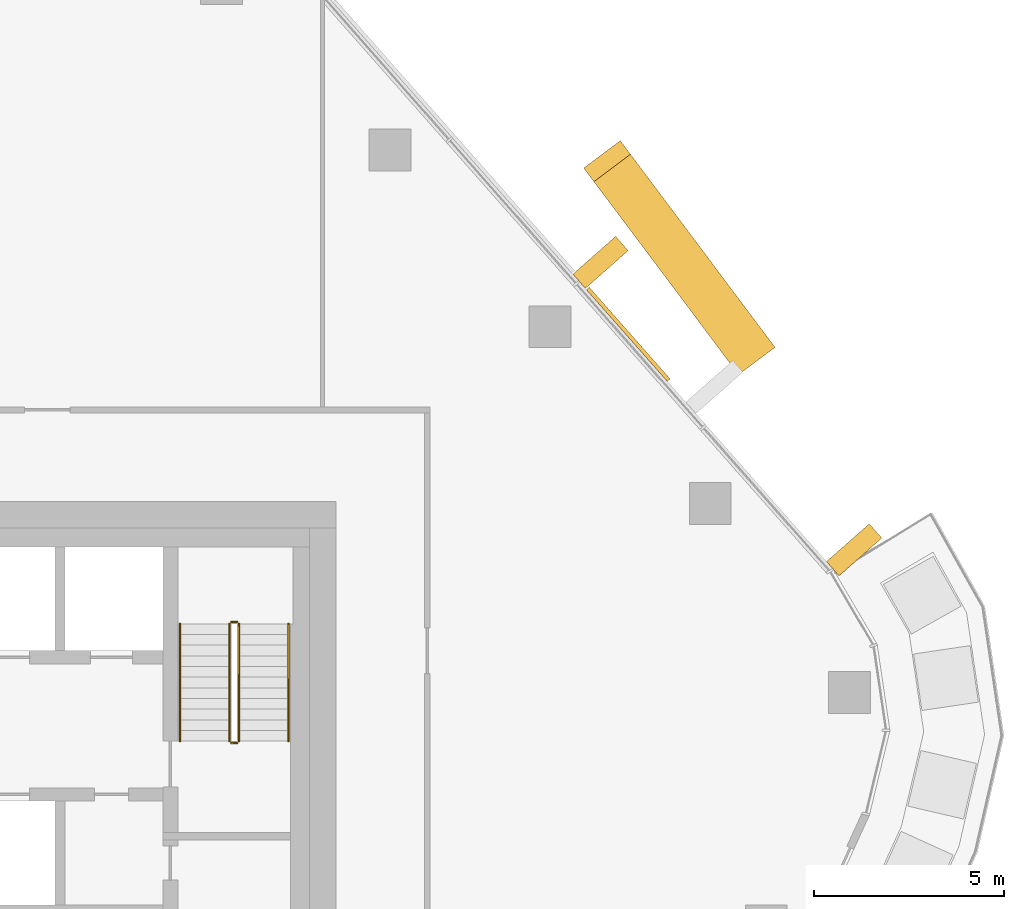
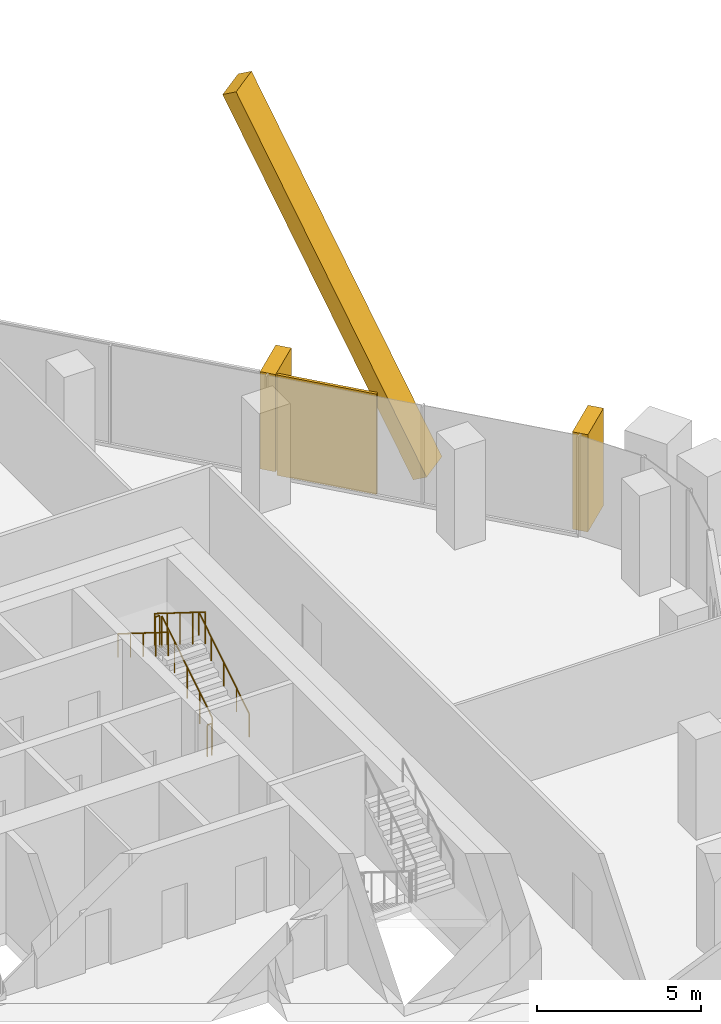
# One storey, part 19 of 20: 6 railings, 4 coverings, 1 element without a shape of its own.
"""IFC4 building model written with IfcOpenShell, lengths in metres."""

from ifc_helpers import new_model, si_unit, direction, frame, origin, origin_2d, place, context, subcontext, project, spatial, rectangle, circle, extrude, material, layer, layer_set, material_profile, profile_set, type_object, element, aggregate, save


model = new_model("IFC4")

# Units and contexts
model_context = context("Model", 3, precision=1e-05, world=origin(), true_north=direction((0.0, 1.0)))
body_context = subcontext(model_context, "Body", "Model", "MODEL_VIEW")
ifc_project = project(units=[si_unit("LENGTHUNIT", "METRE"), si_unit("AREAUNIT", "SQUARE_METRE"), si_unit("VOLUMEUNIT", "CUBIC_METRE"), si_unit("PLANEANGLEUNIT", "RADIAN"), si_unit("MASSUNIT", "GRAM", prefix="KILO")], contexts=[model_context])

# Site, building, storey
site_placement = place(None, origin())
site = spatial("IfcSite", under=ifc_project, at=site_placement, CompositionType="ELEMENT")
building_placement = place(site_placement, origin())
building = spatial("IfcBuilding", under=site, at=building_placement, Name="Dongbaek Canopy Tower", CompositionType="ELEMENT")
storey_placement = place(building_placement, frame((0.0, 0.0, 228.60009765625)))
storey = spatial("IfcBuildingStorey", under=building, at=storey_placement, Name="L47", CompositionType="ELEMENT", Elevation=228.60009765625)

# Curtain wall, coverings
ifc_material_1 = material(Name="Aluminium 6063-T6 pale anodised", Category="aluminium")
ifc_layer_1 = layer(ifc_material_1, 0.199951171875)
ifc_layer_set_1 = layer_set([ifc_layer_1], Name="CW-1 unitised tower curtain wall")
curtain_wall_type = type_object("IfcCurtainWallType", Name="CW-1 unitised tower curtain wall", PredefinedType="NOTDEFINED", material=ifc_layer_set_1)
curtain_wall_placement = place(storey_placement, origin())
curtain_wall = element("IfcCurtainWall", 1, at=curtain_wall_placement, inside=storey, type_object=curtain_wall_type, Name="CW-1 curtain wall F0.1", PredefinedType="NOTDEFINED")
ifc_material_2 = material(Name="Aluminium 6063-T6 pale metal fin", Category="aluminium")
ifc_material_profile_1 = material_profile(ifc_material_2, rectangle(XDim=1.199951171875, YDim=0.5, at=origin_2d()), Name="Crease fin CF1 500 x 1200 pale metal")
ifc_profile_set_1 = profile_set([ifc_material_profile_1], Name="Aluminium 6063-T6 pale metal fin")
covering_type_1 = type_object("IfcCoveringType", Name="Crease fin CF1 500 x 1200 pale metal", PredefinedType="CLADDING", material=ifc_profile_set_1)
covering_1_placement = place(storey_placement, frame((24.9189453125, 14.864501953125, -0.22509765625), z_axis=(-0.268752771788, 0.35867673412, 0.893936769608), x_axis=(-0.800272776955, -0.599636125049, 0.0)))
covering_1 = element("IfcCovering", 2, at=covering_1_placement, type_object=covering_type_1, Name="Crease fin L47 L50 F0", PredefinedType="CLADDING", context=body_context, shape_type="SweptSolid", body=[
    extrude(rectangle(XDim=1.199951171875, YDim=0.5, at=origin_2d()), origin(), (0.0, 0.0, 1.0), 14.134033203125),
])
ifc_material_3 = material(Name="Perforated aluminium 6063-T6 pale metal screen", Category="aluminium")
ifc_layer_2 = layer(ifc_material_3, 0.10009765625)
ifc_layer_set_2 = layer_set([ifc_layer_2], Name="Facet screen FS1 100 pale metal")
covering_type_2 = type_object("IfcCoveringType", Name="Facet screen FS1 100 pale metal", PredefinedType="CLADDING", material=ifc_layer_set_2)
covering_2_placement = place(storey_placement, frame((21.676025390625, 15.3857421875, 0.0), z_axis=(0.0, 0.0, 1.0), x_axis=(-0.6616312479, 0.749829375126, 0.0)))
covering_2 = element("IfcCovering", 3, at=covering_2_placement, type_object=covering_type_2, Name="Facet screen L47 F0", PredefinedType="CLADDING", context=body_context, shape_type="SweptSolid", body=[
    extrude(rectangle(XDim=3.216796875, YDim=0.10009765625, at=origin_2d()), origin(), (0.0, 0.0, 1.0), 3.75),
])
ifc_material_4 = material(Name="Aluminium 6063-T6 pale metal fin", Category="aluminium")
ifc_material_profile_2 = material_profile(ifc_material_4, rectangle(XDim=1.5, YDim=0.5, at=origin_2d()), Name="Fin FN1 500 x 1500 pale metal")
ifc_profile_set_2 = profile_set([ifc_material_profile_2], Name="Aluminium 6063-T6 pale metal fin")
covering_type_3 = type_object("IfcCoveringType", Name="Fin FN1 500 x 1500 pale metal", PredefinedType="CLADDING", material=ifc_profile_set_2)
covering_3_placement = place(storey_placement, frame((27.6103515625, 9.724609375, 0.119873046875), z_axis=(0.0, 0.0, 1.0), x_axis=(0.749829254199, 0.661631384947, 0.0)))
covering_3 = element("IfcCovering", 4, at=covering_3_placement, type_object=covering_type_3, Name="Fin F0.1.1", PredefinedType="CLADDING", context=body_context, shape_type="SweptSolid", body=[
    extrude(rectangle(XDim=1.5, YDim=0.5, at=origin_2d()), origin(), (0.0, 0.0, 1.0), 3.630126953125),
])
covering_4_placement = place(storey_placement, frame((20.947998046875, 17.275146484375, 0.119873046875), z_axis=(0.0, 0.0, 1.0), x_axis=(0.749829254199, 0.661631384947, 0.0)))
covering_4 = element("IfcCovering", 5, at=covering_4_placement, type_object=covering_type_3, Name="Fin F0.1.3", PredefinedType="CLADDING", context=body_context, shape_type="SweptSolid", body=[
    extrude(rectangle(XDim=1.5, YDim=0.5, at=origin_2d()), origin(), (0.0, 0.0, 1.0), 3.630126953125),
])
aggregate(curtain_wall, [covering_3, covering_4, covering_1, covering_2])

# Railings
ifc_material_5 = material(Name="Stainless steel tube and balusters", Category="steel")
railing_type_1 = type_object("IfcRailingType", Name="Stair guard 1200", PredefinedType="GUARDRAIL", material=ifc_material_5)
railing_1_placement = place(storey_placement, frame((11.449951171875, 4.699951171875, 0.1748046875)))
element("IfcRailing", 6, at=railing_1_placement, inside=storey, type_object=railing_type_1, Name="L47 ST-A stair guard 1", PredefinedType="GUARDRAIL", context=body_context, shape_type="SweptSolid", body=[
    extrude(circle(Radius=0.02392578125, at=origin_2d()), frame((0.0, 0.0, 1.17578125), z_axis=(0.0, 0.847998304005, 0.529998940003), x_axis=(-1.0, 0.0, 0.0)), (0.0, 0.0, 1.0), 3.632080078125),
    extrude(circle(Radius=0.02099609375, at=origin_2d()), origin(), (0.0, 0.0, 1.0), 1.15185546875),
    extrude(circle(Radius=0.02099609375, at=origin_2d()), frame((0.0, 0.77001953125, 0.481201171875)), (0.0, 0.0, 1.0), 1.15185546875),
    extrude(circle(Radius=0.02099609375, at=origin_2d()), frame((0.0, 1.5400390625, 0.96240234375)), (0.0, 0.0, 1.0), 1.15185546875),
    extrude(circle(Radius=0.02099609375, at=origin_2d()), frame((0.0, 2.31005859375, 1.44384765625)), (0.0, 0.0, 1.0), 1.15185546875),
    extrude(circle(Radius=0.02099609375, at=origin_2d()), frame((0.0, 3.080078125, 1.925048828125)), (0.0, 0.0, 1.0), 1.15185546875),
])
railing_2_placement = place(storey_placement, frame((11.39990234375, 7.830078125, 2.099853515625)))
element("IfcRailing", 7, at=railing_2_placement, inside=storey, type_object=railing_type_1, Name="L47 ST-A stair guard 2", PredefinedType="GUARDRAIL", context=body_context, shape_type="SweptSolid", body=[
    extrude(circle(Radius=0.02392578125, at=origin_2d()), frame((0.0, 0.0, 1.17578125), z_axis=(-1.0, 0.0, 0.0), x_axis=(0.0, -1.0, 0.0)), (0.0, 0.0, 1.0), 0.14990234375),
    extrude(circle(Radius=0.02099609375, at=origin_2d()), origin(), (0.0, 0.0, 1.0), 1.15185546875),
    extrude(circle(Radius=0.02099609375, at=origin_2d()), frame((-0.14990234375, 0.0, 0.0)), (0.0, 0.0, 1.0), 1.15185546875),
])
railing_3_placement = place(storey_placement, frame((11.199951171875, 7.780029296875, 2.27490234375)))
element("IfcRailing", 8, at=railing_3_placement, inside=storey, type_object=railing_type_1, Name="L47 ST-A stair guard 3", PredefinedType="GUARDRAIL", context=body_context, shape_type="SweptSolid", body=[
    extrude(circle(Radius=0.02392578125, at=origin_2d()), frame((0.0, 0.0, 1.17578125), z_axis=(0.0, -0.847998304005, 0.529998940003), x_axis=(1.0, 0.0, 0.0)), (0.0, 0.0, 1.0), 3.632080078125),
    extrude(circle(Radius=0.02099609375, at=origin_2d()), origin(), (0.0, 0.0, 1.0), 1.15185546875),
    extrude(circle(Radius=0.02099609375, at=origin_2d()), frame((0.0, -0.77001953125, 0.481201171875)), (0.0, 0.0, 1.0), 1.15185546875),
    extrude(circle(Radius=0.02099609375, at=origin_2d()), frame((0.0, -1.5400390625, 0.96240234375)), (0.0, 0.0, 1.0), 1.15185546875),
    extrude(circle(Radius=0.02099609375, at=origin_2d()), frame((0.0, -2.31005859375, 1.44384765625)), (0.0, 0.0, 1.0), 1.15185546875),
    extrude(circle(Radius=0.02099609375, at=origin_2d()), frame((0.0, -3.080078125, 1.925048828125)), (0.0, 0.0, 1.0), 1.15185546875),
])
railing_4_placement = place(storey_placement, frame((11.39990234375, 4.64990234375, 0.0)))
element("IfcRailing", 9, at=railing_4_placement, inside=storey, type_object=railing_type_1, Name="L47 ST-A stair guard 4", PredefinedType="GUARDRAIL", context=body_context, shape_type="SweptSolid", body=[
    extrude(circle(Radius=0.02392578125, at=origin_2d()), frame((0.0, 0.0, 1.17578125), z_axis=(-1.0, 0.0, 0.0), x_axis=(0.0, -1.0, 0.0)), (0.0, 0.0, 1.0), 0.14990234375),
    extrude(circle(Radius=0.02099609375, at=origin_2d()), origin(), (0.0, 0.0, 1.0), 1.15185546875),
    extrude(circle(Radius=0.02099609375, at=origin_2d()), frame((-0.14990234375, 0.0, 0.0)), (0.0, 0.0, 1.0), 1.15185546875),
])
ifc_material_6 = material(Name="Stainless steel tube", Category="steel")
railing_type_2 = type_object("IfcRailingType", Name="Stair handrail 900", PredefinedType="HANDRAIL", material=ifc_material_6)
railing_5_placement = place(storey_placement, frame((12.75, 4.699951171875, 0.1748046875)))
element("IfcRailing", 10, at=railing_5_placement, inside=storey, type_object=railing_type_2, Name="L47 ST-A stair handrail 1", PredefinedType="HANDRAIL", context=body_context, shape_type="SweptSolid", body=[
    extrude(circle(Radius=0.02392578125, at=origin_2d()), frame((0.0, 0.0, 0.8759765625), z_axis=(0.0, 0.847998304005, 0.529998940003), x_axis=(-1.0, 0.0, 0.0)), (0.0, 0.0, 1.0), 3.632080078125),
    extrude(circle(Radius=0.02099609375, at=origin_2d()), origin(), (0.0, 0.0, 1.0), 0.851806640625),
    extrude(circle(Radius=0.02099609375, at=origin_2d()), frame((0.0, 0.77001953125, 0.481201171875)), (0.0, 0.0, 1.0), 0.851806640625),
    extrude(circle(Radius=0.02099609375, at=origin_2d()), frame((0.0, 1.5400390625, 0.96240234375)), (0.0, 0.0, 1.0), 0.851806640625),
    extrude(circle(Radius=0.02099609375, at=origin_2d()), frame((0.0, 2.31005859375, 1.44384765625)), (0.0, 0.0, 1.0), 0.851806640625),
    extrude(circle(Radius=0.02099609375, at=origin_2d()), frame((0.0, 3.080078125, 1.925048828125)), (0.0, 0.0, 1.0), 0.851806640625),
])
railing_6_placement = place(storey_placement, frame((9.89990234375, 7.780029296875, 2.27490234375)))
element("IfcRailing", 11, at=railing_6_placement, inside=storey, type_object=railing_type_2, Name="L47 ST-A stair handrail 2", PredefinedType="HANDRAIL", context=body_context, shape_type="SweptSolid", body=[
    extrude(circle(Radius=0.02392578125, at=origin_2d()), frame((0.0, 0.0, 0.8759765625), z_axis=(0.0, -0.847998304005, 0.529998940003), x_axis=(1.0, 0.0, 0.0)), (0.0, 0.0, 1.0), 3.632080078125),
    extrude(circle(Radius=0.02099609375, at=origin_2d()), origin(), (0.0, 0.0, 1.0), 0.851806640625),
    extrude(circle(Radius=0.02099609375, at=origin_2d()), frame((0.0, -0.77001953125, 0.481201171875)), (0.0, 0.0, 1.0), 0.851806640625),
    extrude(circle(Radius=0.02099609375, at=origin_2d()), frame((0.0, -1.5400390625, 0.96240234375)), (0.0, 0.0, 1.0), 0.851806640625),
    extrude(circle(Radius=0.02099609375, at=origin_2d()), frame((0.0, -2.31005859375, 1.44384765625)), (0.0, 0.0, 1.0), 0.851806640625),
    extrude(circle(Radius=0.02099609375, at=origin_2d()), frame((0.0, -3.080078125, 1.925048828125)), (0.0, 0.0, 1.0), 0.851806640625),
])

save(model, "model.ifc")
